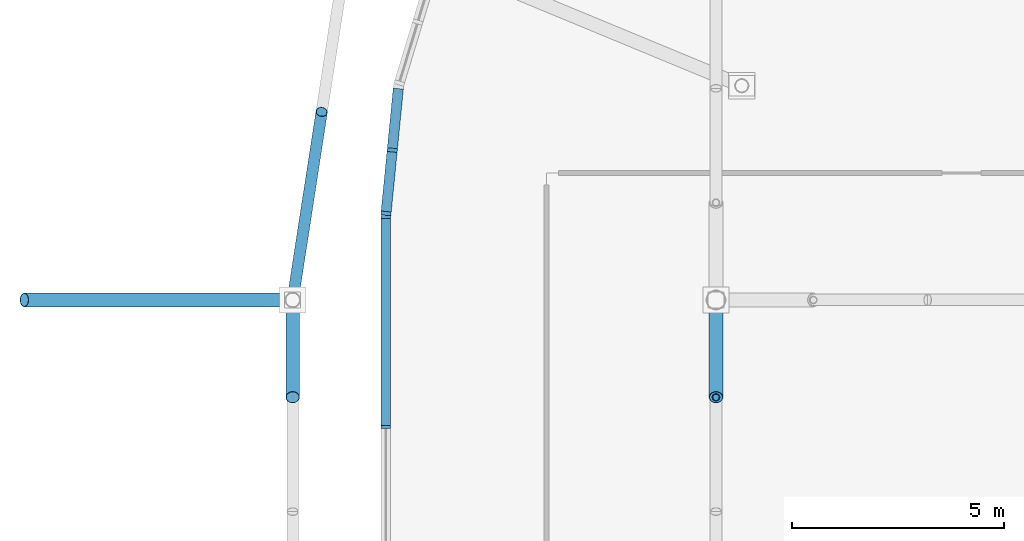
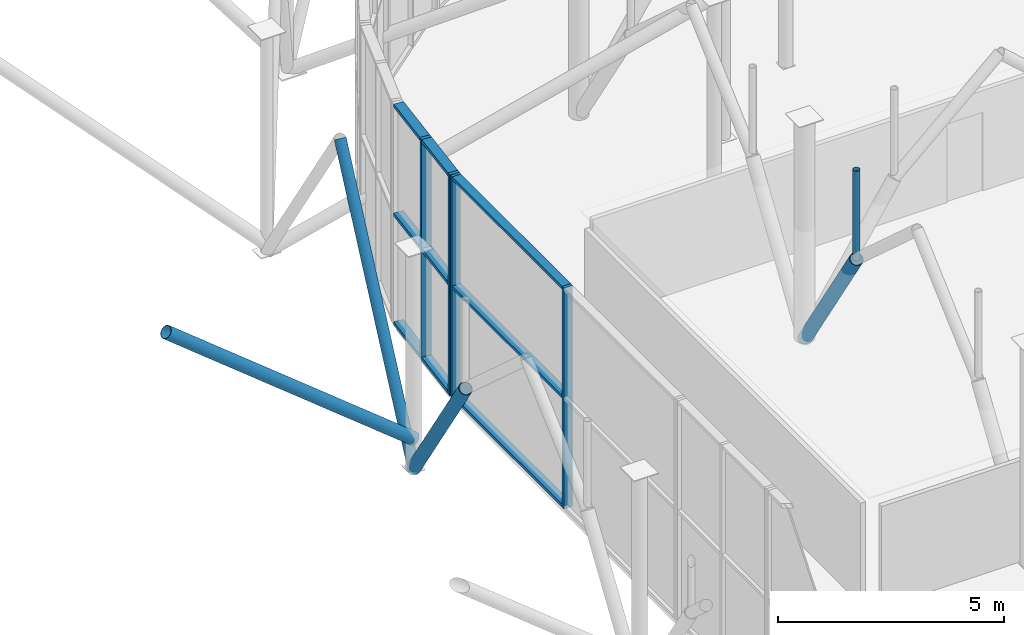
# One storey, part 45 of 109: 18 members, 2 elements without a shape of their own.
"""IFC4 building model written with IfcOpenShell, lengths in metres."""

from ifc_helpers import new_model, si_unit, derived_unit, direction, frame, origin, origin_2d_with_axis, place, context, subcontext, project, spatial, rectangle, hollow_circle, extrude, material, material_profile, profile_set, type_object, element, aggregate, save


model = new_model("IFC4")

# Units and contexts
model_context = context("Model", 3, precision=1e-05, world=origin(), true_north=direction((0.0, 1.0)))
body_context = subcontext(model_context, "Body", "Model", "MODEL_VIEW")
ifc_project = project(units=[si_unit("LENGTHUNIT", "METRE"), si_unit("AREAUNIT", "SQUARE_METRE"), si_unit("VOLUMEUNIT", "CUBIC_METRE"), si_unit("PLANEANGLEUNIT", "RADIAN"), si_unit("MASSUNIT", "GRAM", prefix="KILO"), derived_unit("THERMALTRANSMITTANCEUNIT", [(si_unit("POWERUNIT", "WATT"), 1), (si_unit("LENGTHUNIT", "METRE"), -2), (si_unit("THERMODYNAMICTEMPERATUREUNIT", "KELVIN"), -1)])], contexts=[model_context])

# Site, building, storey
site_placement = place(None, origin())
site = spatial("IfcSite", under=ifc_project, at=site_placement, CompositionType="ELEMENT")
building_placement = place(site_placement, origin())
building = spatial("IfcBuilding", under=site, at=building_placement, Name="Cinnabar Yard Market Hall", CompositionType="ELEMENT")
storey_placement = place(building_placement, frame((0.0, 0.0, 8.39990234375)))
storey = spatial("IfcBuildingStorey", under=building, at=storey_placement, Name="L02", CompositionType="ELEMENT", Elevation=8.39990234375)

# Curtain wall, members
ifc_material_1 = material(Name="Anodised bronze aluminium curved-chord facade", Category="aluminium")
curtain_wall_type_1 = type_object("IfcCurtainWallType", Name="CW-CWC031x60", PredefinedType="NOTDEFINED", material=ifc_material_1)
curtain_wall_1_placement = place(storey_placement, origin())
curtain_wall_1 = element("IfcCurtainWall", 1, at=curtain_wall_1_placement, inside=storey, type_object=curtain_wall_type_1, Name="Corner NW Chord 8 L02", PredefinedType="NOTDEFINED")
ifc_material_2 = material(Name="Anodised bronze aluminium", Category="aluminium")
ifc_material_profile_1 = material_profile(ifc_material_2, rectangle(XDim=0.239990234375, YDim=0.090087890625, at=origin_2d_with_axis()), Name="MUL-CWC")
ifc_profile_set_1 = profile_set([ifc_material_profile_1], Name="Anodised bronze aluminium")
member_type_1 = type_object("IfcMemberType", Name="CWM-CWC", PredefinedType="MULLION", material=ifc_profile_set_1)
member_1_placement = place(storey_placement, frame((68.351806640625, 57.541259765625, 0.0), z_axis=(0.0, 0.0, 1.0), x_axis=(0.995184408637, -0.098020369342, 0.0)))
member_1 = element("IfcMember", 2, at=member_1_placement, type_object=member_type_1, Name="CWC031x60 mullion 2", PredefinedType="MULLION", context=body_context, shape_type="SweptSolid", body=[
    extrude(rectangle(XDim=0.239990234375, YDim=0.090087890625, at=origin_2d_with_axis()), origin(), (0.0, 0.0, 1.0), 5.97998046875),
])
member_2_placement = place(storey_placement, frame((68.204345703125, 56.044677734375, 0.0), z_axis=(0.0, 0.0, 1.0), x_axis=(0.995184408637, -0.098020369342, 0.0)))
member_2 = element("IfcMember", 3, at=member_2_placement, type_object=member_type_1, Name="CWC031x60 mullion 3", PredefinedType="MULLION", context=body_context, shape_type="SweptSolid", body=[
    extrude(rectangle(XDim=0.239990234375, YDim=0.090087890625, at=origin_2d_with_axis()), origin(), (0.0, 0.0, 1.0), 5.97998046875),
])

ifc_material_3 = material(Name="Anodised bronze aluminium and low-E glass", Category="aluminium")
curtain_wall_type_2 = type_object("IfcCurtainWallType", Name="CW-CWH100x60", PredefinedType="NOTDEFINED", material=ifc_material_3)
curtain_wall_2_placement = place(storey_placement, origin())
curtain_wall_2 = element("IfcCurtainWall", 4, at=curtain_wall_2_placement, inside=storey, type_object=curtain_wall_type_2, Name="Market Hall West Upper Clerestory W2", PredefinedType="NOTDEFINED")
ifc_material_profile_2 = material_profile(ifc_material_2, rectangle(XDim=0.219970703125, YDim=0.080078125, at=origin_2d_with_axis()), Name="MUL-CWH")
ifc_profile_set_2 = profile_set([ifc_material_profile_2], Name="Anodised bronze aluminium")
member_type_2 = type_object("IfcMemberType", Name="CWM-CWH", PredefinedType="MULLION", material=ifc_profile_set_2)
member_3_placement = place(storey_placement, frame((68.199951171875, 55.9599609375, 0.0), z_axis=(0.0, 0.0, 1.0), x_axis=(1.0, 0.0, 0.0)))
member_3 = element("IfcMember", 5, at=member_3_placement, type_object=member_type_2, Name="CWH100x60 mullion 1", PredefinedType="MULLION", context=body_context, shape_type="SweptSolid", body=[
    extrude(rectangle(XDim=0.219970703125, YDim=0.080078125, at=origin_2d_with_axis()), origin(), (0.0, 0.0, 1.0), 5.97998046875),
])
member_4_placement = place(storey_placement, frame((68.199951171875, 51.0, 0.0), z_axis=(0.0, 0.0, 1.0), x_axis=(1.0, 0.0, 0.0)))
member_4 = element("IfcMember", 6, at=member_4_placement, type_object=member_type_2, Name="CWH100x60 mullion 2", PredefinedType="MULLION", context=body_context, shape_type="SweptSolid", body=[
    extrude(rectangle(XDim=0.219970703125, YDim=0.080078125, at=origin_2d_with_axis()), origin(), (0.0, 0.0, 1.0), 5.97998046875),
])

# Member
ifc_material_profile_3 = material_profile(ifc_material_2, rectangle(XDim=0.239990234375, YDim=0.090087890625, at=origin_2d_with_axis()), Name="TRN-CWC")
ifc_profile_set_3 = profile_set([ifc_material_profile_3], Name="Anodised bronze aluminium")
member_type_3 = type_object("IfcMemberType", Name="CWT-CWC", PredefinedType="USERDEFINED", material=ifc_profile_set_3)
member_5_placement = place(storey_placement, frame((68.494873046875, 58.992919921875, 0.045166015625), z_axis=(-0.098084531214, -0.995178086946, 0.0), x_axis=(0.995178086946, -0.098084531214, 0.0)))
member_5 = element("IfcMember", 7, at=member_5_placement, type_object=member_type_3, Name="CWC031x60 transom 1.1", ObjectType="TRANSOM", PredefinedType="USERDEFINED", context=body_context, shape_type="SweptSolid", body=[
    extrude(rectangle(XDim=0.239990234375, YDim=0.090087890625, at=origin_2d_with_axis()), origin(), (0.0, 0.0, 1.0), 1.413818359375),
])

member_6_placement = place(storey_placement, frame((68.494873046875, 58.992919921875, 2.989990234375), z_axis=(-0.098084531214, -0.995178086946, 0.0), x_axis=(0.995178086946, -0.098084531214, 0.0)))
member_6 = element("IfcMember", 8, at=member_6_placement, type_object=member_type_3, Name="CWC031x60 transom 1.2", ObjectType="TRANSOM", PredefinedType="USERDEFINED", context=body_context, shape_type="SweptSolid", body=[
    extrude(rectangle(XDim=0.239990234375, YDim=0.090087890625, at=origin_2d_with_axis()), origin(), (0.0, 0.0, 1.0), 1.413818359375),
])

member_7_placement = place(storey_placement, frame((68.494873046875, 58.992919921875, 5.93505859375), z_axis=(-0.098084531214, -0.995178086946, 0.0), x_axis=(0.995178086946, -0.098084531214, 0.0)))
member_7 = element("IfcMember", 9, at=member_7_placement, type_object=member_type_3, Name="CWC031x60 transom 1.3", ObjectType="TRANSOM", PredefinedType="USERDEFINED", context=body_context, shape_type="SweptSolid", body=[
    extrude(rectangle(XDim=0.239990234375, YDim=0.090087890625, at=origin_2d_with_axis()), origin(), (0.0, 0.0, 1.0), 1.413818359375),
])

member_8_placement = place(storey_placement, frame((68.347412109375, 57.496337890625, 0.045166015625), z_axis=(-0.098101390058, -0.995176425197, 0.0), x_axis=(0.995176425197, -0.098101390058, 0.0)))
member_8 = element("IfcMember", 10, at=member_8_placement, type_object=member_type_3, Name="CWC031x60 transom 2.1", ObjectType="TRANSOM", PredefinedType="USERDEFINED", context=body_context, shape_type="SweptSolid", body=[
    extrude(rectangle(XDim=0.239990234375, YDim=0.090087890625, at=origin_2d_with_axis()), origin(), (0.0, 0.0, 1.0), 1.41357421875),
])

member_9_placement = place(storey_placement, frame((68.347412109375, 57.496337890625, 2.989990234375), z_axis=(-0.098101390058, -0.995176425197, 0.0), x_axis=(0.995176425197, -0.098101390058, 0.0)))
member_9 = element("IfcMember", 11, at=member_9_placement, type_object=member_type_3, Name="CWC031x60 transom 2.2", ObjectType="TRANSOM", PredefinedType="USERDEFINED", context=body_context, shape_type="SweptSolid", body=[
    extrude(rectangle(XDim=0.239990234375, YDim=0.090087890625, at=origin_2d_with_axis()), origin(), (0.0, 0.0, 1.0), 1.41357421875),
])

member_10_placement = place(storey_placement, frame((68.347412109375, 57.496337890625, 5.93505859375), z_axis=(-0.098101390058, -0.995176425197, 0.0), x_axis=(0.995176425197, -0.098101390058, 0.0)))
member_10 = element("IfcMember", 12, at=member_10_placement, type_object=member_type_3, Name="CWC031x60 transom 2.3", ObjectType="TRANSOM", PredefinedType="USERDEFINED", context=body_context, shape_type="SweptSolid", body=[
    extrude(rectangle(XDim=0.239990234375, YDim=0.090087890625, at=origin_2d_with_axis()), origin(), (0.0, 0.0, 1.0), 1.41357421875),
])

aggregate(curtain_wall_1, [member_1, member_2, member_5, member_6, member_7, member_8, member_9, member_10])

ifc_material_profile_4 = material_profile(ifc_material_2, rectangle(XDim=0.219970703125, YDim=0.080078125, at=origin_2d_with_axis()), Name="TRN-CWH")
ifc_profile_set_4 = profile_set([ifc_material_profile_4], Name="Anodised bronze aluminium")
member_type_4 = type_object("IfcMemberType", Name="CWT-CWH", PredefinedType="USERDEFINED", material=ifc_profile_set_4)
member_11_placement = place(storey_placement, frame((68.199951171875, 55.919921875, 0.0400390625), z_axis=(0.0, -1.0, 0.0), x_axis=(1.0, 0.0, 0.0)))
member_11 = element("IfcMember", 13, at=member_11_placement, type_object=member_type_4, Name="CWH100x60 transom 1.1", ObjectType="TRANSOM", PredefinedType="USERDEFINED", context=body_context, shape_type="SweptSolid", body=[
    extrude(rectangle(XDim=0.219970703125, YDim=0.080078125, at=origin_2d_with_axis()), origin(), (0.0, 0.0, 1.0), 4.8798828125),
])

member_12_placement = place(storey_placement, frame((68.199951171875, 55.919921875, 2.989990234375), z_axis=(0.0, -1.0, 0.0), x_axis=(1.0, 0.0, 0.0)))
member_12 = element("IfcMember", 14, at=member_12_placement, type_object=member_type_4, Name="CWH100x60 transom 1.2", ObjectType="TRANSOM", PredefinedType="USERDEFINED", context=body_context, shape_type="SweptSolid", body=[
    extrude(rectangle(XDim=0.219970703125, YDim=0.080078125, at=origin_2d_with_axis()), origin(), (0.0, 0.0, 1.0), 4.8798828125),
])

member_13_placement = place(storey_placement, frame((68.199951171875, 55.919921875, 5.940185546875), z_axis=(0.0, -1.0, 0.0), x_axis=(1.0, 0.0, 0.0)))
member_13 = element("IfcMember", 15, at=member_13_placement, type_object=member_type_4, Name="CWH100x60 transom 1.3", ObjectType="TRANSOM", PredefinedType="USERDEFINED", context=body_context, shape_type="SweptSolid", body=[
    extrude(rectangle(XDim=0.219970703125, YDim=0.080078125, at=origin_2d_with_axis()), origin(), (0.0, 0.0, 1.0), 4.8798828125),
])

aggregate(curtain_wall_2, [member_3, member_4, member_11, member_12, member_13])

# Members
ifc_material_4 = material(Name="Spotted-gum glulam-clad steel Grade 350 (350 MPa)", Category="steel")
ifc_material_profile_5 = material_profile(ifc_material_4, hollow_circle(Radius=0.136474609375, WallThickness=0.00927734375, at=origin_2d_with_axis()), Name="273.1x9.3CHS")
ifc_profile_set_5 = profile_set([ifc_material_profile_5], Name="Spotted-gum glulam-clad steel Grade 350 (350 MPa)")
member_type_5 = type_object("IfcMemberType", Name="MB-AR01E", PredefinedType="USERDEFINED", material=ifc_profile_set_5)
member_14_placement = place(storey_placement, frame((66.0, 54.0, 0.0), z_axis=(0.09156162834, 0.593975880497, 0.799255354441), x_axis=(-0.988326460719, 0.152350933845, 0.0)))
element("IfcMember", 16, at=member_14_placement, inside=storey, type_object=member_type_5, Name="Corner Pointed Arch NW 4B", ObjectType="ARCH RIB", PredefinedType="USERDEFINED", context=body_context, shape_type="SweptSolid", body=[
    extrude(hollow_circle(Radius=0.136474609375, WallThickness=0.00927734375, at=origin_2d_with_axis()), origin(), (0.0, 0.0, 1.0), 7.48193359375),
])
ifc_material_profile_6 = material_profile(ifc_material_4, hollow_circle(Radius=0.161865234375, WallThickness=0.009521484375, at=origin_2d_with_axis()), Name="323.9x9.5CHS")
ifc_profile_set_6 = profile_set([ifc_material_profile_6], Name="Spotted-gum glulam-clad steel Grade 350 (350 MPa)")
member_type_6 = type_object("IfcMemberType", Name="MB-ST01", PredefinedType="STRUT", material=ifc_profile_set_6)
member_15_placement = place(storey_placement, frame((76.0, 54.0, 0.0), z_axis=(0.0, -0.543744165176, 0.839251024925), x_axis=(1.0, 0.0, 0.0)))
element("IfcMember", 17, at=member_15_placement, inside=storey, type_object=member_type_6, Name="Curved Branch Arm Lower 0011", PredefinedType="STRUT", context=body_context, shape_type="SweptSolid", body=[
    extrude(hollow_circle(Radius=0.161865234375, WallThickness=0.009521484375, at=origin_2d_with_axis()), origin(), (0.0, 0.0, 1.0), 4.22998046875),
])
ifc_material_profile_7 = material_profile(ifc_material_4, hollow_circle(Radius=0.161865234375, WallThickness=0.009521484375, at=origin_2d_with_axis()), Name="323.9x9.5CHS")
ifc_profile_set_7 = profile_set([ifc_material_profile_7], Name="Spotted-gum glulam-clad steel Grade 350 (350 MPa)")
member_type_7 = type_object("IfcMemberType", Name="MB-ST01E", PredefinedType="STRUT", material=ifc_profile_set_7)
member_16_placement = place(storey_placement, frame((66.0, 54.0, 0.0), z_axis=(0.0, -0.543744165176, 0.839251024925), x_axis=(1.0, 0.0, 0.0)))
element("IfcMember", 18, at=member_16_placement, inside=storey, type_object=member_type_7, Name="Curved Branch Arm Lower 0175", PredefinedType="STRUT", context=body_context, shape_type="SweptSolid", body=[
    extrude(hollow_circle(Radius=0.161865234375, WallThickness=0.009521484375, at=origin_2d_with_axis()), origin(), (0.0, 0.0, 1.0), 4.22998046875),
])
member_17_placement = place(storey_placement, frame((66.0, 54.0, 0.800048828125), z_axis=(-0.779185735248, 0.0, 0.626793099824), x_axis=(0.0, -1.0, 0.0)))
element("IfcMember", 19, at=member_17_placement, inside=storey, type_object=member_type_7, Name="West Chhajja Bracket Arm 54", PredefinedType="STRUT", context=body_context, shape_type="SweptSolid", body=[
    extrude(hollow_circle(Radius=0.161865234375, WallThickness=0.009521484375, at=origin_2d_with_axis()), origin(), (0.0, 0.0, 1.0), 8.13671875),
])
ifc_material_5 = material(Name="Cold-formed steel C350L0", Category="steel")
ifc_material_profile_8 = material_profile(ifc_material_5, hollow_circle(Radius=0.084228515625, WallThickness=0.00634765625, at=origin_2d_with_axis()), Name="168.3x6.4CHS")
ifc_profile_set_8 = profile_set([ifc_material_profile_8], Name="Cold-formed steel C350L0")
member_type_8 = type_object("IfcMemberType", Name="MB-WB01", PredefinedType="STRUT", material=ifc_profile_set_8)
member_18_placement = place(storey_placement, frame((76.0, 51.699951171875, 3.550048828125), z_axis=(0.0, 0.0, 1.0), x_axis=(1.0, 0.0, 0.0)))
element("IfcMember", 20, at=member_18_placement, inside=storey, type_object=member_type_8, Name="Arch Spandrel Post 0011", PredefinedType="STRUT", context=body_context, shape_type="SweptSolid", body=[
    extrude(hollow_circle(Radius=0.084228515625, WallThickness=0.00634765625, at=origin_2d_with_axis()), origin(), (0.0, 0.0, 1.0), 2.429931640625),
])

save(model, "model.ifc")
